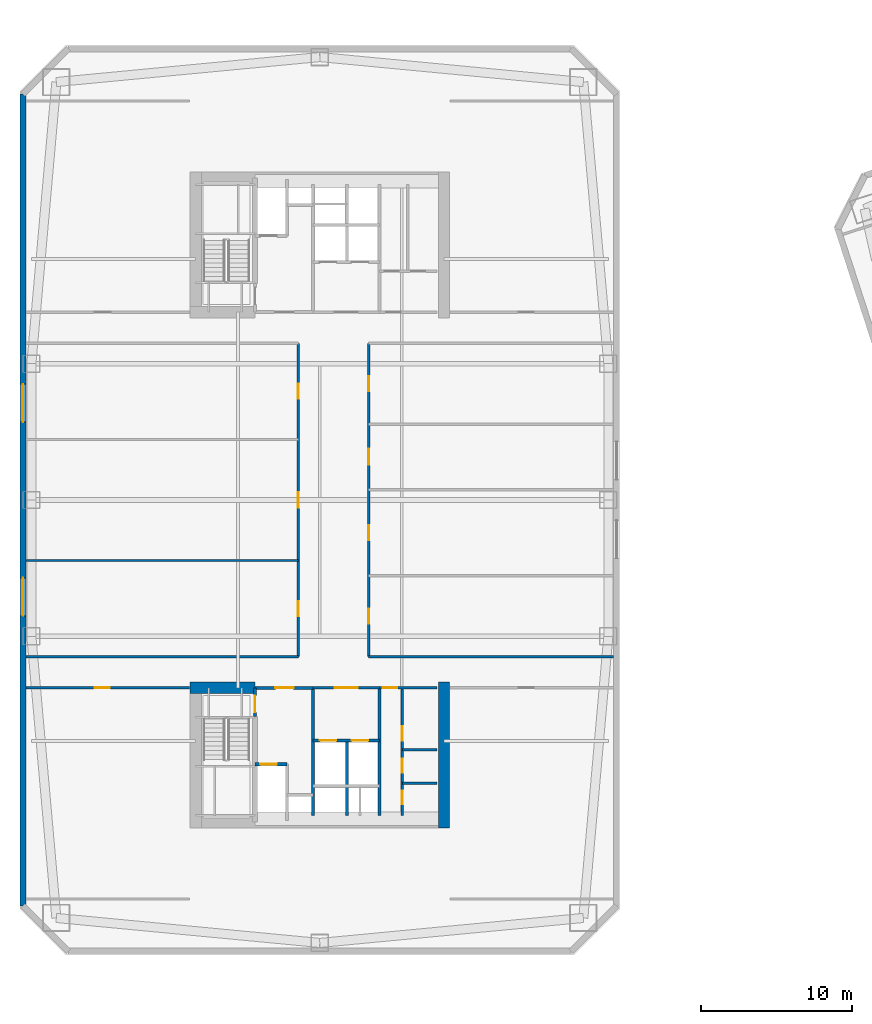
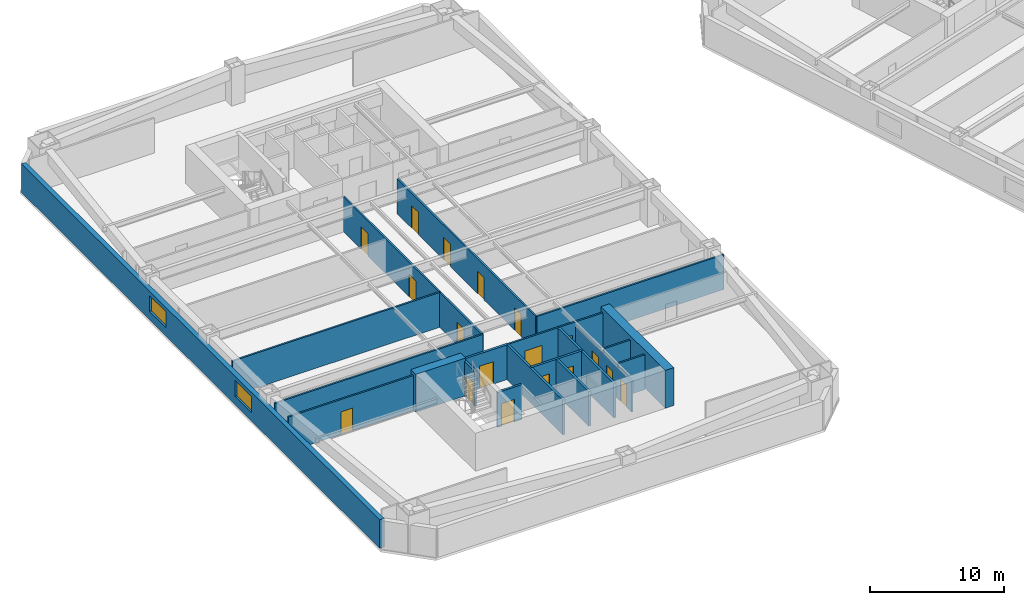
# One storey, part 3 of 11: 21 walls, 18 doors, 2 windows, 20 openings.
"""IFC4 building model written with IfcOpenShell, lengths in metres."""

from ifc_helpers import new_model, si_unit, direction, frame, frame_2d, origin, place, context, subcontext, project, spatial, rectangle, extrude, material, layer, layer_set, type_object, element, fill, save


model = new_model("IFC4")

# Units and contexts
model_context = context("Model", 3, precision=1e-05, world=origin(), true_north=direction((0.0, 1.0)))
body_context = subcontext(model_context, "Body", "Model", "MODEL_VIEW")
ifc_project = project(units=[si_unit("LENGTHUNIT", "METRE"), si_unit("AREAUNIT", "SQUARE_METRE"), si_unit("VOLUMEUNIT", "CUBIC_METRE"), si_unit("PLANEANGLEUNIT", "RADIAN"), si_unit("MASSUNIT", "GRAM", prefix="KILO")], contexts=[model_context])

# Site, building, storey
site_placement = place(None, origin())
site = spatial("IfcSite", under=ifc_project, at=site_placement, CompositionType="ELEMENT")
building_placement = place(site_placement, origin())
building = spatial("IfcBuilding", under=site, at=building_placement, Name="Qiaolan Cultural Towers", CompositionType="ELEMENT")
storey_placement = place(building_placement, frame((0.0, 0.0, 64.39990234375)))
storey = spatial("IfcBuildingStorey", under=building, at=storey_placement, Name="L15", CompositionType="ELEMENT", Elevation=64.39990234375)

# Walls
ifc_material_1 = material(Name="Concrete C60", Category="concrete")
ifc_layer_1 = layer(ifc_material_1, 0.75)
ifc_layer_set_1 = layer_set([ifc_layer_1], Name="Concrete C60")
wall_type_1 = type_object("IfcWallType", Name="WL-CORE-750", PredefinedType="SHEAR", material=ifc_layer_set_1)
wall_1_placement = place(storey_placement, frame((38.199951171875, 21.97509765625, 0.0), z_axis=(0.0, 0.0, 1.0), x_axis=(0.0, -1.0, 0.0)))
element("IfcWall", 1, at=wall_1_placement, inside=storey, type_object=wall_type_1, Name="L15 T1-CS East Core Shear Wall", PredefinedType="SHEAR", context=body_context, shape_type="SweptSolid", body=[
    extrude(rectangle(XDim=9.630126953125, YDim=0.75, at=frame_2d((4.81494140625, 0.0))), origin(), (0.0, 0.0, 1.0), 3.4501953125),
])
wall_2_placement = place(storey_placement, frame((21.425048828125, 21.60009765625, 0.0), z_axis=(0.0, 0.0, 1.0), x_axis=(1.0, 0.0, 0.0)))
element("IfcWall", 2, at=wall_2_placement, inside=storey, type_object=wall_type_1, Name="L15 T1-CS Stair Front Shear Wall", PredefinedType="SHEAR", context=body_context, shape_type="SweptSolid", body=[
    extrude(rectangle(XDim=4.294921875, YDim=0.75, at=frame_2d((2.1474609375, 0.0))), origin(), (0.0, 0.0, 1.0), 3.4501953125),
])

# Wall, openings, windows
ifc_material_2 = material(Name="Precast Concrete C50 Honed Stone Pier", Category="masonry")
ifc_layer_2 = layer(ifc_material_2, 0.39990234375)
ifc_layer_set_2 = layer_set([ifc_layer_2], Name="Precast Concrete C50 Honed Stone Pier")
wall_type_2 = type_object("IfcWallType", Name="WL-EXT-PIER-400", PredefinedType="SOLIDWALL", material=ifc_layer_set_2)
wall_3_placement = place(storey_placement, frame((10.39990234375, 7.199951171875, 0.0), z_axis=(0.0, 0.0, 1.0), x_axis=(0.0, 1.0, 0.0)))
wall_3 = element("IfcWall", 3, at=wall_3_placement, inside=storey, type_object=wall_type_2, Name="L15 West Tower Precast Pier Facade Wall F1", PredefinedType="SOLIDWALL", context=body_context, shape_type="SweptSolid", body=[
    extrude(rectangle(XDim=53.60009765625, YDim=0.39990234375, at=frame_2d((26.800048828125, 0.0))), origin(), (0.0, 0.0, 1.0), 2.610107421875),
])
opening_1_placement = place(wall_3_placement, frame((19.14990234375, 0.0, 0.75)))
opening_1 = element("IfcOpeningElement", 4, at=opening_1_placement, cuts=wall_3, Name="Opening W-01", PredefinedType="OPENING", context=body_context, shape_type="SweptSolid", body=[
    extrude(rectangle(XDim=2.5, YDim=1.4599609375, at=frame_2d((1.25, 0.72998046875))), frame((0.0, 0.2099609375, 0.0), z_axis=(0.0, -1.0, 0.0), x_axis=(1.0, 0.0, 0.0)), (0.0, 0.0, 1.0), 0.419921875),
])
opening_2_placement = place(wall_3_placement, frame((31.949951171875, 0.0, 0.75)))
opening_2 = element("IfcOpeningElement", 5, at=opening_2_placement, cuts=wall_3, Name="Opening W-01", PredefinedType="OPENING", context=body_context, shape_type="SweptSolid", body=[
    extrude(rectangle(XDim=2.5, YDim=1.4599609375, at=frame_2d((1.25, 0.72998046875))), frame((0.0, 0.2099609375, 0.0), z_axis=(0.0, -1.0, 0.0), x_axis=(1.0, 0.0, 0.0)), (0.0, 0.0, 1.0), 0.419921875),
])
ifc_material_3 = material(Name="Thermally Broken Aluminium Triple Low-E Glazing", Category="aluminium")
window_type = type_object("IfcWindowType", Name="WN-CHIC-2500", PartitioningType="SINGLE_PANEL", PredefinedType="WINDOW", material=ifc_material_3)
window_1_placement = place(opening_1_placement, origin())
window_1 = element("IfcWindow", 6, at=window_1_placement, inside=storey, type_object=window_type, Name="L15 T1 W Chicago Bay Window 1", OverallHeight=1.4599609375, OverallWidth=2.5, PartitioningType="TRIPLE_PANEL_VERTICAL", PredefinedType="WINDOW", context=body_context, shape_type="SweptSolid", body=[
    extrude(rectangle(XDim=2.5, YDim=1.4599609375, at=frame_2d((1.25, 0.72998046875))), frame((0.0, 0.030029296875, 0.0), z_axis=(0.0, -1.0, 0.0), x_axis=(1.0, 0.0, 0.0)), (0.0, 0.0, 1.0), 0.06005859375),
])
fill(opening_1, window_1)
window_2_placement = place(opening_2_placement, origin())
window_2 = element("IfcWindow", 7, at=window_2_placement, inside=storey, type_object=window_type, Name="L15 T1 W Chicago Bay Window 2", OverallHeight=1.4599609375, OverallWidth=2.5, PartitioningType="TRIPLE_PANEL_VERTICAL", PredefinedType="WINDOW", context=body_context, shape_type="SweptSolid", body=[
    extrude(rectangle(XDim=2.5, YDim=1.4599609375, at=frame_2d((1.25, 0.72998046875))), frame((0.0, 0.030029296875, 0.0), z_axis=(0.0, -1.0, 0.0), x_axis=(1.0, 0.0, 0.0)), (0.0, 0.0, 1.0), 0.06005859375),
])
fill(opening_2, window_2)

# Wall, opening, door
ifc_material_4 = material(Name="Concrete C35 Fire Wall", Category="concrete")
ifc_layer_3 = layer(ifc_material_4, 0.199951171875)
ifc_layer_set_3 = layer_set([ifc_layer_3], Name="Concrete C35 Fire Wall")
wall_type_3 = type_object("IfcWallType", Name="WL-FIRE-200", PredefinedType="PARTITIONING", material=ifc_layer_set_3)
wall_4_placement = place(storey_placement, frame((25.719970703125, 21.60009765625, 0.0), z_axis=(0.0, 0.0, 1.0), x_axis=(0.0, -1.0, 0.0)))
wall_4 = element("IfcWall", 8, at=wall_4_placement, inside=storey, type_object=wall_type_3, Name="L15 T1-CS Smokeproof Stair Entry Wall", PredefinedType="PARTITIONING", context=body_context, shape_type="SweptSolid", body=[
    extrude(rectangle(XDim=1.900146484375, YDim=0.199951171875, at=frame_2d((0.9501953125, 0.0))), origin(), (0.0, 0.0, 1.0), 3.175048828125),
])
opening_3_placement = place(wall_4_placement, frame((0.52001953125, 0.0, 0.0)))
opening_3 = element("IfcOpeningElement", 9, at=opening_3_placement, cuts=wall_4, Name="Opening FD-04", PredefinedType="OPENING", context=body_context, shape_type="SweptSolid", body=[
    extrude(rectangle(XDim=1.10009765625, YDim=2.050048828125, at=frame_2d((0.550048828125, 1.02490234375))), frame((0.0, 0.10986328125, 0.0), z_axis=(0.0, -1.0, 0.0), x_axis=(1.0, 0.0, 0.0)), (0.0, 0.0, 1.0), 0.219970703125),
])
ifc_material_5 = material(Name="Galvanized Steel Command Fire Door", Category="steel")
door_type_1 = type_object("IfcDoorType", Name="DR-FD90-1100", OperationType="NOTDEFINED", PredefinedType="DOOR", material=ifc_material_5)
door_1_placement = place(opening_3_placement, origin())
door_1 = element("IfcDoor", 10, at=door_1_placement, inside=storey, type_object=door_type_1, Name="L15 ST-W1 Smokeproof Stair Fire Door", OperationType="SINGLE_SWING_LEFT", OverallHeight=2.050048828125, OverallWidth=1.10009765625, PredefinedType="DOOR", context=body_context, shape_type="SweptSolid", body=[
    extrude(rectangle(XDim=1.10009765625, YDim=2.050048828125, at=frame_2d((0.550048828125, 1.02490234375))), frame((0.0, 0.02490234375, 0.0), z_axis=(0.0, -1.0, 0.0), x_axis=(1.0, 0.0, 0.0)), (0.0, 0.0, 1.0), 0.050048828125),
])
fill(opening_3, door_1)

# Wall
wall_5_placement = place(storey_placement, frame((29.550048828125, 21.60009765625, 0.0), z_axis=(0.0, 0.0, 1.0), x_axis=(0.0, -1.0, 0.0)))
element("IfcWall", 11, at=wall_5_placement, inside=storey, type_object=wall_type_3, Name="L15 T1-CS Firefighting Zone Wall", PredefinedType="PARTITIONING", context=body_context, shape_type="SweptSolid", body=[
    extrude(rectangle(XDim=8.43017578125, YDim=0.199951171875, at=frame_2d((4.215087890625, 0.0))), origin(), (0.0, 0.0, 1.0), 3.175048828125),
])

# Wall, opening, door
wall_6_placement = place(storey_placement, frame((25.719970703125, 21.60009765625, 0.0), z_axis=(0.0, 0.0, 1.0), x_axis=(1.0, 0.0, 0.0)))
wall_6 = element("IfcWall", 12, at=wall_6_placement, inside=storey, type_object=wall_type_3, Name="L15 T1-CS Firefighting Lobby Front Wall", PredefinedType="PARTITIONING", context=body_context, shape_type="SweptSolid", body=[
    extrude(rectangle(XDim=3.830078125, YDim=0.199951171875, at=frame_2d((1.9150390625, 0.0))), origin(), (0.0, 0.0, 1.0), 3.175048828125),
])
opening_4_placement = place(wall_6_placement, frame((1.35009765625, 0.0, 0.0)))
opening_4 = element("IfcOpeningElement", 13, at=opening_4_placement, cuts=wall_6, Name="Opening FD-03", PredefinedType="OPENING", context=body_context, shape_type="SweptSolid", body=[
    extrude(rectangle(XDim=1.199951171875, YDim=2.050048828125, at=frame_2d((0.60009765625, 1.02490234375))), frame((0.0, 0.10986328125, 0.0), z_axis=(0.0, -1.0, 0.0), x_axis=(1.0, 0.0, 0.0)), (0.0, 0.0, 1.0), 0.219970703125),
])
ifc_material_6 = material(Name="Galvanized Steel Smokeproof Lobby Fire Door", Category="steel")
door_type_2 = type_object("IfcDoorType", Name="DR-FD90-1200", OperationType="NOTDEFINED", PredefinedType="DOOR", material=ifc_material_6)
door_2_placement = place(opening_4_placement, origin())
door_2 = element("IfcDoor", 14, at=door_2_placement, inside=storey, type_object=door_type_2, Name="L15 FFL-W1 Firefighting Lobby Fire Door", OperationType="SINGLE_SWING_LEFT", OverallHeight=2.050048828125, OverallWidth=1.199951171875, PredefinedType="DOOR", context=body_context, shape_type="SweptSolid", body=[
    extrude(rectangle(XDim=1.199951171875, YDim=2.050048828125, at=frame_2d((0.60009765625, 1.02490234375))), frame((0.0, 0.02490234375, 0.0), z_axis=(0.0, -1.0, 0.0), x_axis=(1.0, 0.0, 0.0)), (0.0, 0.0, 1.0), 0.050048828125),
])
fill(opening_4, door_2)

wall_7_placement = place(storey_placement, frame((25.719970703125, 16.550048828125, 0.0), z_axis=(0.0, 0.0, 1.0), x_axis=(1.0, 0.0, 0.0)))
wall_7 = element("IfcWall", 15, at=wall_7_placement, inside=storey, type_object=wall_type_3, Name="L15 T1-CS Firefighting Shaft Front Wall", PredefinedType="PARTITIONING", context=body_context, shape_type="SweptSolid", body=[
    extrude(rectangle(XDim=2.10009765625, YDim=0.199951171875, at=frame_2d((1.050048828125, 0.0))), origin(), (0.0, 0.0, 1.0), 3.175048828125),
])
opening_5_placement = place(wall_7_placement, frame((0.35009765625, 0.0, 0.0)))
opening_5 = element("IfcOpeningElement", 16, at=opening_5_placement, cuts=wall_7, Name="Opening LD-01", PredefinedType="OPENING", context=body_context, shape_type="SweptSolid", body=[
    extrude(rectangle(XDim=1.10009765625, YDim=2.050048828125, at=frame_2d((0.550048828125, 1.02490234375))), frame((0.0, 0.10986328125, 0.0), z_axis=(0.0, -1.0, 0.0), x_axis=(1.0, 0.0, 0.0)), (0.0, 0.0, 1.0), 0.219970703125),
])
ifc_material_7 = material(Name="Brushed Stainless Steel S30408 Centre-Parting Lift Landing Door", Category="steel")
door_type_3 = type_object("IfcDoorType", Name="DR-LIFT-1100", OperationType="NOTDEFINED", PredefinedType="DOOR", material=ifc_material_7)
door_3_placement = place(opening_5_placement, origin())
door_3 = element("IfcDoor", 17, at=door_3_placement, inside=storey, type_object=door_type_3, Name="L15 FFL-W1 Firefighting Lift Landing Door", OperationType="DOUBLE_DOOR_SLIDING", OverallHeight=2.050048828125, OverallWidth=1.10009765625, PredefinedType="DOOR", context=body_context, shape_type="SweptSolid", body=[
    extrude(rectangle(XDim=1.10009765625, YDim=2.050048828125, at=frame_2d((0.550048828125, 1.02490234375))), frame((0.0, 0.02490234375, 0.0), z_axis=(0.0, -1.0, 0.0), x_axis=(1.0, 0.0, 0.0)), (0.0, 0.0, 1.0), 0.050048828125),
])
fill(opening_5, door_3)

# Wall
wall_8_placement = place(storey_placement, frame((33.949951171875, 21.60009765625, 0.0), z_axis=(0.0, 0.0, 1.0), x_axis=(0.0, -1.0, 0.0)))
element("IfcWall", 18, at=wall_8_placement, inside=storey, type_object=wall_type_3, Name="L15 T1-CS Lift Core East Wall", PredefinedType="PARTITIONING", context=body_context, shape_type="SweptSolid", body=[
    extrude(rectangle(XDim=8.43017578125, YDim=0.199951171875, at=frame_2d((4.215087890625, 0.0))), origin(), (0.0, 0.0, 1.0), 3.175048828125),
])

# Wall, openings, doors
wall_9_placement = place(storey_placement, frame((29.550048828125, 18.1201171875, 0.0), z_axis=(0.0, 0.0, 1.0), x_axis=(1.0, 0.0, 0.0)))
wall_9 = element("IfcWall", 19, at=wall_9_placement, inside=storey, type_object=wall_type_3, Name="L15 T1-CS Passenger Lift Shaft Front Wall", PredefinedType="PARTITIONING", context=body_context, shape_type="SweptSolid", body=[
    extrude(rectangle(XDim=4.39990234375, YDim=0.199951171875, at=frame_2d((2.199951171875, 0.0))), origin(), (0.0, 0.0, 1.0), 3.175048828125),
])
opening_6_placement = place(wall_9_placement, frame((0.449951171875, 0.0, 0.0)))
opening_6 = element("IfcOpeningElement", 20, at=opening_6_placement, cuts=wall_9, Name="Opening LD-01", PredefinedType="OPENING", context=body_context, shape_type="SweptSolid", body=[
    extrude(rectangle(XDim=1.10009765625, YDim=2.050048828125, at=frame_2d((0.550048828125, 1.02490234375))), frame((0.0, 0.10986328125, 0.0), z_axis=(0.0, -1.0, 0.0), x_axis=(1.0, 0.0, 0.0)), (0.0, 0.0, 1.0), 0.219970703125),
])
opening_7_placement = place(wall_9_placement, frame((2.550048828125, 0.0, 0.0)))
opening_7 = element("IfcOpeningElement", 21, at=opening_7_placement, cuts=wall_9, Name="Opening LD-01", PredefinedType="OPENING", context=body_context, shape_type="SweptSolid", body=[
    extrude(rectangle(XDim=1.10009765625, YDim=2.050048828125, at=frame_2d((0.550048828125, 1.02490234375))), frame((0.0, 0.10986328125, 0.0), z_axis=(0.0, -1.0, 0.0), x_axis=(1.0, 0.0, 0.0)), (0.0, 0.0, 1.0), 0.219970703125),
])
door_4_placement = place(opening_6_placement, origin())
door_4 = element("IfcDoor", 22, at=door_4_placement, inside=storey, type_object=door_type_3, Name="L15 Passenger Lift 1 Landing Door", OperationType="DOUBLE_DOOR_SLIDING", OverallHeight=2.050048828125, OverallWidth=1.10009765625, PredefinedType="DOOR", context=body_context, shape_type="SweptSolid", body=[
    extrude(rectangle(XDim=1.10009765625, YDim=2.050048828125, at=frame_2d((0.550048828125, 1.02490234375))), frame((0.0, 0.02490234375, 0.0), z_axis=(0.0, -1.0, 0.0), x_axis=(1.0, 0.0, 0.0)), (0.0, 0.0, 1.0), 0.050048828125),
])
fill(opening_6, door_4)
door_5_placement = place(opening_7_placement, origin())
door_5 = element("IfcDoor", 23, at=door_5_placement, inside=storey, type_object=door_type_3, Name="L15 Passenger Lift 2 Landing Door", OperationType="DOUBLE_DOOR_SLIDING", OverallHeight=2.050048828125, OverallWidth=1.10009765625, PredefinedType="DOOR", context=body_context, shape_type="SweptSolid", body=[
    extrude(rectangle(XDim=1.10009765625, YDim=2.050048828125, at=frame_2d((0.550048828125, 1.02490234375))), frame((0.0, 0.02490234375, 0.0), z_axis=(0.0, -1.0, 0.0), x_axis=(1.0, 0.0, 0.0)), (0.0, 0.0, 1.0), 0.050048828125),
])
fill(opening_7, door_5)

# Wall
wall_10_placement = place(storey_placement, frame((31.780029296875, 18.1201171875, 0.0), z_axis=(0.0, 0.0, 1.0), x_axis=(0.0, -1.0, 0.0)))
element("IfcWall", 24, at=wall_10_placement, inside=storey, type_object=wall_type_3, Name="L15 T1-CS Lift Shaft Divider Wall", PredefinedType="PARTITIONING", context=body_context, shape_type="SweptSolid", body=[
    extrude(rectangle(XDim=4.9501953125, YDim=0.199951171875, at=frame_2d((2.47509765625, 0.0))), origin(), (0.0, 0.0, 1.0), 3.175048828125),
])

# Wall, opening, door
ifc_material_8 = material(Name="Autoclaved Aerated Concrete Block B06", Category="concrete")
ifc_layer_4 = layer(ifc_material_8, 0.14990234375)
ifc_layer_set_4 = layer_set([ifc_layer_4], Name="Autoclaved Aerated Concrete Block B06")
wall_type_4 = type_object("IfcWallType", Name="WL-PART-150", PredefinedType="PARTITIONING", material=ifc_layer_set_4)
wall_11_placement = place(storey_placement, frame((29.550048828125, 21.60009765625, 0.0), z_axis=(0.0, 0.0, 1.0), x_axis=(1.0, 0.0, 0.0)))
wall_11 = element("IfcWall", 25, at=wall_11_placement, inside=storey, type_object=wall_type_4, Name="L15 T1-CS Passenger Lift Lobby Front Wall", PredefinedType="PARTITIONING", context=body_context, shape_type="SweptSolid", body=[
    extrude(rectangle(XDim=4.39990234375, YDim=0.14990234375, at=frame_2d((2.199951171875, 0.0))), origin(), (0.0, 0.0, 1.0), 3.175048828125),
])
opening_8_placement = place(wall_11_placement, frame((1.449951171875, 0.0, 0.0)))
opening_8 = element("IfcOpeningElement", 26, at=opening_8_placement, cuts=wall_11, Name="Opening FD-05", PredefinedType="OPENING", context=body_context, shape_type="SweptSolid", body=[
    extrude(rectangle(XDim=1.5, YDim=2.050048828125, at=frame_2d((0.75, 1.02490234375))), frame((0.0, 0.0849609375, 0.0), z_axis=(0.0, -1.0, 0.0), x_axis=(1.0, 0.0, 0.0)), (0.0, 0.0, 1.0), 0.169921875),
])
ifc_material_9 = material(Name="Painted Steel Lift Lobby Fire Door", Category="steel")
door_type_4 = type_object("IfcDoorType", Name="DR-FD60-1500", OperationType="NOTDEFINED", PredefinedType="DOOR", material=ifc_material_9)
door_6_placement = place(opening_8_placement, origin())
door_6 = element("IfcDoor", 27, at=door_6_placement, inside=storey, type_object=door_type_4, Name="L15 Passenger Lift Lobby Entrance", OperationType="SINGLE_SWING_LEFT", OverallHeight=2.050048828125, OverallWidth=1.5, PredefinedType="DOOR", context=body_context, shape_type="SweptSolid", body=[
    extrude(rectangle(XDim=1.5, YDim=2.050048828125, at=frame_2d((0.75, 1.02490234375))), frame((0.0, 0.02490234375, 0.0), z_axis=(0.0, -1.0, 0.0), x_axis=(1.0, 0.0, 0.0)), (0.0, 0.0, 1.0), 0.050048828125),
])
fill(opening_8, door_6)

wall_12_placement = place(storey_placement, frame((33.949951171875, 21.60009765625, 0.0), z_axis=(0.0, 0.0, 1.0), x_axis=(1.0, 0.0, 0.0)))
wall_12 = element("IfcWall", 28, at=wall_12_placement, inside=storey, type_object=wall_type_4, Name="L15 T1-CS Sanitary Core Front Wall", PredefinedType="PARTITIONING", context=body_context, shape_type="SweptSolid", body=[
    extrude(rectangle(XDim=3.800048828125, YDim=0.14990234375, at=frame_2d((1.89990234375, 0.0))), origin(), (0.0, 0.0, 1.0), 3.175048828125),
])
opening_9_placement = place(wall_12_placement, frame((0.219970703125, 0.0, 0.0)))
opening_9 = element("IfcOpeningElement", 29, at=opening_9_placement, cuts=wall_12, Name="Opening ID-05", PredefinedType="OPENING", context=body_context, shape_type="SweptSolid", body=[
    extrude(rectangle(XDim=0.949951171875, YDim=2.050048828125, at=frame_2d((0.47509765625, 1.02490234375))), frame((0.0, 0.0849609375, 0.0), z_axis=(0.0, -1.0, 0.0), x_axis=(1.0, 0.0, 0.0)), (0.0, 0.0, 1.0), 0.169921875),
])
ifc_material_10 = material(Name="Fire-Rated Laminate Accessible Core Door", Category="timber")
door_type_5 = type_object("IfcDoorType", Name="DR-INT-950", OperationType="NOTDEFINED", PredefinedType="DOOR", material=ifc_material_10)
door_7_placement = place(opening_9_placement, origin())
door_7 = element("IfcDoor", 30, at=door_7_placement, inside=storey, type_object=door_type_5, Name="L15 Sanitary Vestibule Door", OperationType="SINGLE_SWING_LEFT", OverallHeight=2.050048828125, OverallWidth=0.949951171875, PredefinedType="DOOR", context=body_context, shape_type="SweptSolid", body=[
    extrude(rectangle(XDim=0.949951171875, YDim=2.050048828125, at=frame_2d((0.47509765625, 1.02490234375))), frame((0.0, 0.02490234375, 0.0), z_axis=(0.0, -1.0, 0.0), x_axis=(1.0, 0.0, 0.0)), (0.0, 0.0, 1.0), 0.050048828125),
])
fill(opening_9, door_7)

# Wall, openings, doors
wall_13_placement = place(storey_placement, frame((35.449951171875, 21.60009765625, 0.0), z_axis=(0.0, 0.0, 1.0), x_axis=(0.0, -1.0, 0.0)))
wall_13 = element("IfcWall", 31, at=wall_13_placement, inside=storey, type_object=wall_type_4, Name="L15 T1-CS Sanitary Vestibule Wall", PredefinedType="PARTITIONING", context=body_context, shape_type="SweptSolid", body=[
    extrude(rectangle(XDim=8.43017578125, YDim=0.14990234375, at=frame_2d((4.215087890625, 0.0))), origin(), (0.0, 0.0, 1.0), 2.815185546875),
])
opening_10_placement = place(wall_13_placement, frame((2.550048828125, 0.0, 0.0)))
opening_10 = element("IfcOpeningElement", 32, at=opening_10_placement, cuts=wall_13, Name="Opening ID-05", PredefinedType="OPENING", context=body_context, shape_type="SweptSolid", body=[
    extrude(rectangle(XDim=0.949951171875, YDim=2.050048828125, at=frame_2d((0.47509765625, 1.02490234375))), frame((0.0, 0.0849609375, 0.0), z_axis=(0.0, -1.0, 0.0), x_axis=(1.0, 0.0, 0.0)), (0.0, 0.0, 1.0), 0.169921875),
])
opening_11_placement = place(wall_13_placement, frame((4.699951171875, 0.0, 0.0)))
opening_11 = element("IfcOpeningElement", 33, at=opening_11_placement, cuts=wall_13, Name="Opening ID-06", PredefinedType="OPENING", context=body_context, shape_type="SweptSolid", body=[
    extrude(rectangle(XDim=0.89990234375, YDim=2.050048828125, at=frame_2d((0.449951171875, 1.02490234375))), frame((0.0, 0.0849609375, 0.0), z_axis=(0.0, -1.0, 0.0), x_axis=(1.0, 0.0, 0.0)), (0.0, 0.0, 1.0), 0.169921875),
])
opening_12_placement = place(wall_13_placement, frame((6.800048828125, 0.0, 0.0)))
opening_12 = element("IfcOpeningElement", 34, at=opening_12_placement, cuts=wall_13, Name="Opening ID-06", PredefinedType="OPENING", context=body_context, shape_type="SweptSolid", body=[
    extrude(rectangle(XDim=0.89990234375, YDim=2.050048828125, at=frame_2d((0.449951171875, 1.02490234375))), frame((0.0, 0.0849609375, 0.0), z_axis=(0.0, -1.0, 0.0), x_axis=(1.0, 0.0, 0.0)), (0.0, 0.0, 1.0), 0.169921875),
])
ifc_material_11 = material(Name="Fire-Rated Laminate Core Service Door", Category="timber")
door_type_6 = type_object("IfcDoorType", Name="DR-INT-900", OperationType="NOTDEFINED", PredefinedType="DOOR", material=ifc_material_11)
door_8_placement = place(opening_11_placement, origin())
door_8 = element("IfcDoor", 35, at=door_8_placement, inside=storey, type_object=door_type_6, Name="L15 Men Washroom Door", OperationType="SINGLE_SWING_LEFT", OverallHeight=2.050048828125, OverallWidth=0.89990234375, PredefinedType="DOOR", context=body_context, shape_type="SweptSolid", body=[
    extrude(rectangle(XDim=0.89990234375, YDim=2.050048828125, at=frame_2d((0.449951171875, 1.02490234375))), frame((0.0, 0.02490234375, 0.0), z_axis=(0.0, -1.0, 0.0), x_axis=(1.0, 0.0, 0.0)), (0.0, 0.0, 1.0), 0.050048828125),
])
fill(opening_11, door_8)
door_9_placement = place(opening_12_placement, origin())
door_9 = element("IfcDoor", 36, at=door_9_placement, inside=storey, type_object=door_type_6, Name="L15 Women Washroom Door", OperationType="SINGLE_SWING_RIGHT", OverallHeight=2.050048828125, OverallWidth=0.89990234375, PredefinedType="DOOR", context=body_context, shape_type="SweptSolid", body=[
    extrude(rectangle(XDim=0.89990234375, YDim=2.050048828125, at=frame_2d((0.449951171875, 1.02490234375))), frame((0.0, 0.02490234375, 0.0), z_axis=(0.0, -1.0, 0.0), x_axis=(1.0, 0.0, 0.0)), (0.0, 0.0, 1.0), 0.050048828125),
])
fill(opening_12, door_9)
door_10_placement = place(opening_10_placement, origin())
door_10 = element("IfcDoor", 37, at=door_10_placement, inside=storey, type_object=door_type_5, Name="L15 Accessible Family Washroom Door", OperationType="SINGLE_SWING_LEFT", OverallHeight=2.050048828125, OverallWidth=0.949951171875, PredefinedType="DOOR", context=body_context, shape_type="SweptSolid", body=[
    extrude(rectangle(XDim=0.949951171875, YDim=2.050048828125, at=frame_2d((0.47509765625, 1.02490234375))), frame((0.0, 0.02490234375, 0.0), z_axis=(0.0, -1.0, 0.0), x_axis=(1.0, 0.0, 0.0)), (0.0, 0.0, 1.0), 0.050048828125),
])
fill(opening_10, door_10)

# Walls
for number, where, z_axis, x_axis, name in (
    (38, (35.449951171875, 17.5, 0.0), (0.0, 0.0, 1.0), (1.0, 0.0, 0.0), "L15 T1-CS Restroom Split Wall 1"),
    (39, (35.449951171875, 15.300048828125, 0.0), (0.0, 0.0, 1.0), (1.0, 0.0, 0.0), "L15 T1-CS Restroom Split Wall 2"),
):
    element("IfcWall", number, at=place(storey_placement, frame(where, z_axis=z_axis, x_axis=x_axis)), inside=storey, type_object=wall_type_4, Name=name, PredefinedType="PARTITIONING", context=body_context, shape_type="SweptSolid", body=[
        extrude(rectangle(XDim=2.300048828125, YDim=0.14990234375, at=frame_2d((1.14990234375, 0.0))), origin(), (0.0, 0.0, 1.0), 3.175048828125),
    ])

# Wall, opening, door
wall_14_placement = place(storey_placement, frame((10.60009765625, 21.60009765625, 0.0), z_axis=(0.0, 0.0, 1.0), x_axis=(1.0, 0.0, 0.0)))
wall_14 = element("IfcWall", 40, at=wall_14_placement, inside=storey, type_object=wall_type_4, Name="L15 T1 Flank Front FLK-SW", PredefinedType="PARTITIONING", context=body_context, shape_type="SweptSolid", body=[
    extrude(rectangle(XDim=10.7998046875, YDim=0.14990234375, at=frame_2d((5.39990234375, 0.0))), origin(), (0.0, 0.0, 1.0), 3.175048828125),
])
opening_13_placement = place(wall_14_placement, frame((4.535888671875, 0.0, 0.0)))
opening_13 = element("IfcOpeningElement", 41, at=opening_13_placement, cuts=wall_14, Name="Opening ID-04", PredefinedType="OPENING", context=body_context, shape_type="SweptSolid", body=[
    extrude(rectangle(XDim=1.0, YDim=2.050048828125, at=frame_2d((0.5, 1.02490234375))), frame((0.0, 0.0849609375, 0.0), z_axis=(0.0, -1.0, 0.0), x_axis=(1.0, 0.0, 0.0)), (0.0, 0.0, 1.0), 0.169921875),
])
ifc_material_12 = material(Name="Oak Veneer Acoustic Office Door", Category="timber")
door_type_7 = type_object("IfcDoorType", Name="DR-INT-1000", OperationType="NOTDEFINED", PredefinedType="DOOR", material=ifc_material_12)
door_11_placement = place(opening_13_placement, origin())
door_11 = element("IfcDoor", 42, at=door_11_placement, inside=storey, type_object=door_type_7, Name="L15 T1 Corner Studio Door", OperationType="SINGLE_SWING_LEFT", OverallHeight=2.050048828125, OverallWidth=1.0, PredefinedType="DOOR", context=body_context, shape_type="SweptSolid", body=[
    extrude(rectangle(XDim=1.0, YDim=2.050048828125, at=frame_2d((0.5, 1.02490234375))), frame((0.0, 0.02490234375, 0.0), z_axis=(0.0, -1.0, 0.0), x_axis=(1.0, 0.0, 0.0)), (0.0, 0.0, 1.0), 0.050048828125),
])
fill(opening_13, door_11)

# Walls
wall_15_placement = place(storey_placement, frame((10.60009765625, 23.64990234375, 0.0), z_axis=(0.0, 0.0, 1.0), x_axis=(1.0, 0.0, 0.0)))
element("IfcWall", 43, at=wall_15_placement, inside=storey, type_object=wall_type_4, Name="L15 T1 South Corridor Left Wall", PredefinedType="PARTITIONING", context=body_context, shape_type="SweptSolid", body=[
    extrude(rectangle(XDim=17.974853515625, YDim=0.14990234375, at=frame_2d((8.9873046875, 0.0))), origin(), (0.0, 0.0, 1.0), 3.175048828125),
])
wall_16_placement = place(storey_placement, frame((33.22509765625, 23.64990234375, 0.0), z_axis=(0.0, 0.0, 1.0), x_axis=(1.0, 0.0, 0.0)))
element("IfcWall", 44, at=wall_16_placement, inside=storey, type_object=wall_type_4, Name="L15 T1 South Corridor Right Wall", PredefinedType="PARTITIONING", context=body_context, shape_type="SweptSolid", body=[
    extrude(rectangle(XDim=16.1748046875, YDim=0.14990234375, at=frame_2d((8.08740234375, 0.0))), origin(), (0.0, 0.0, 1.0), 3.175048828125),
])

# Wall, openings, doors
wall_17_placement = place(storey_placement, frame((28.574951171875, 23.64990234375, 0.0), z_axis=(0.0, 0.0, 1.0), x_axis=(0.0, 1.0, 0.0)))
wall_17 = element("IfcWall", 45, at=wall_17_placement, inside=storey, type_object=wall_type_4, Name="L15 T1 West Spine Wall", PredefinedType="PARTITIONING", context=body_context, shape_type="SweptSolid", body=[
    extrude(rectangle(XDim=20.7001953125, YDim=0.14990234375, at=frame_2d((10.35009765625, 0.0))), origin(), (0.0, 0.0, 1.0), 3.175048828125),
])
opening_14_placement = place(wall_17_placement, frame((2.675048828125, 0.0, 0.0)))
opening_14 = element("IfcOpeningElement", 46, at=opening_14_placement, cuts=wall_17, Name="Opening ID-04", PredefinedType="OPENING", context=body_context, shape_type="SweptSolid", body=[
    extrude(rectangle(XDim=1.0, YDim=2.050048828125, at=frame_2d((0.5, 1.02490234375))), frame((0.0, 0.0849609375, 0.0), z_axis=(0.0, -1.0, 0.0), x_axis=(1.0, 0.0, 0.0)), (0.0, 0.0, 1.0), 0.169921875),
])
opening_15_placement = place(wall_17_placement, frame((9.85009765625, 0.0, 0.0)))
opening_15 = element("IfcOpeningElement", 47, at=opening_15_placement, cuts=wall_17, Name="Opening ID-04", PredefinedType="OPENING", context=body_context, shape_type="SweptSolid", body=[
    extrude(rectangle(XDim=1.0, YDim=2.050048828125, at=frame_2d((0.5, 1.02490234375))), frame((0.0, 0.0849609375, 0.0), z_axis=(0.0, -1.0, 0.0), x_axis=(1.0, 0.0, 0.0)), (0.0, 0.0, 1.0), 0.169921875),
])
opening_16_placement = place(wall_17_placement, frame((17.02490234375, 0.0, 0.0)))
opening_16 = element("IfcOpeningElement", 48, at=opening_16_placement, cuts=wall_17, Name="Opening ID-04", PredefinedType="OPENING", context=body_context, shape_type="SweptSolid", body=[
    extrude(rectangle(XDim=1.0, YDim=2.050048828125, at=frame_2d((0.5, 1.02490234375))), frame((0.0, 0.0849609375, 0.0), z_axis=(0.0, -1.0, 0.0), x_axis=(1.0, 0.0, 0.0)), (0.0, 0.0, 1.0), 0.169921875),
])
door_12_placement = place(opening_14_placement, origin())
door_12 = element("IfcDoor", 49, at=door_12_placement, inside=storey, type_object=door_type_7, Name="L15 T1 Staff Dining Kitchen Door", OperationType="SINGLE_SWING_LEFT", OverallHeight=2.050048828125, OverallWidth=1.0, PredefinedType="DOOR", context=body_context, shape_type="SweptSolid", body=[
    extrude(rectangle(XDim=1.0, YDim=2.050048828125, at=frame_2d((0.5, 1.02490234375))), frame((0.0, 0.02490234375, 0.0), z_axis=(0.0, -1.0, 0.0), x_axis=(1.0, 0.0, 0.0)), (0.0, 0.0, 1.0), 0.050048828125),
])
fill(opening_14, door_12)
door_13_placement = place(opening_15_placement, origin())
door_13 = element("IfcDoor", 50, at=door_13_placement, inside=storey, type_object=door_type_7, Name="L15 T1 Staff Dining Kitchen Door", OperationType="SINGLE_SWING_RIGHT", OverallHeight=2.050048828125, OverallWidth=1.0, PredefinedType="DOOR", context=body_context, shape_type="SweptSolid", body=[
    extrude(rectangle(XDim=1.0, YDim=2.050048828125, at=frame_2d((0.5, 1.02490234375))), frame((0.0, 0.02490234375, 0.0), z_axis=(0.0, -1.0, 0.0), x_axis=(1.0, 0.0, 0.0)), (0.0, 0.0, 1.0), 0.050048828125),
])
fill(opening_15, door_13)
door_14_placement = place(opening_16_placement, origin())
door_14 = element("IfcDoor", 51, at=door_14_placement, inside=storey, type_object=door_type_7, Name="L15 T1 Staff Dining Kitchen Door", OperationType="SINGLE_SWING_LEFT", OverallHeight=2.050048828125, OverallWidth=1.0, PredefinedType="DOOR", context=body_context, shape_type="SweptSolid", body=[
    extrude(rectangle(XDim=1.0, YDim=2.050048828125, at=frame_2d((0.5, 1.02490234375))), frame((0.0, 0.02490234375, 0.0), z_axis=(0.0, -1.0, 0.0), x_axis=(1.0, 0.0, 0.0)), (0.0, 0.0, 1.0), 0.050048828125),
])
fill(opening_16, door_14)

wall_18_placement = place(storey_placement, frame((33.22509765625, 23.64990234375, 0.0), z_axis=(0.0, 0.0, 1.0), x_axis=(0.0, 1.0, 0.0)))
wall_18 = element("IfcWall", 52, at=wall_18_placement, inside=storey, type_object=wall_type_4, Name="L15 T1 East Spine Wall", PredefinedType="PARTITIONING", context=body_context, shape_type="SweptSolid", body=[
    extrude(rectangle(XDim=20.7001953125, YDim=0.14990234375, at=frame_2d((10.35009765625, 0.0))), origin(), (0.0, 0.0, 1.0), 3.175048828125),
])
opening_17_placement = place(wall_18_placement, frame((2.175048828125, 0.0, 0.0)))
opening_17 = element("IfcOpeningElement", 53, at=opening_17_placement, cuts=wall_18, Name="Opening ID-04", PredefinedType="OPENING", context=body_context, shape_type="SweptSolid", body=[
    extrude(rectangle(XDim=1.0, YDim=2.050048828125, at=frame_2d((0.5, 1.02490234375))), frame((0.0, 0.0849609375, 0.0), z_axis=(0.0, -1.0, 0.0), x_axis=(1.0, 0.0, 0.0)), (0.0, 0.0, 1.0), 0.169921875),
])
opening_18_placement = place(wall_18_placement, frame((7.68994140625, 0.0, 0.0)))
opening_18 = element("IfcOpeningElement", 54, at=opening_18_placement, cuts=wall_18, Name="Opening ID-04", PredefinedType="OPENING", context=body_context, shape_type="SweptSolid", body=[
    extrude(rectangle(XDim=1.0, YDim=2.050048828125, at=frame_2d((0.5, 1.02490234375))), frame((0.0, 0.0849609375, 0.0), z_axis=(0.0, -1.0, 0.0), x_axis=(1.0, 0.0, 0.0)), (0.0, 0.0, 1.0), 0.169921875),
])
opening_19_placement = place(wall_18_placement, frame((12.68994140625, 0.0, 0.0)))
opening_19 = element("IfcOpeningElement", 55, at=opening_19_placement, cuts=wall_18, Name="Opening ID-07", PredefinedType="OPENING", context=body_context, shape_type="SweptSolid", body=[
    extrude(rectangle(XDim=1.050048828125, YDim=2.050048828125, at=frame_2d((0.52490234375, 1.02490234375))), frame((0.0, 0.0849609375, 0.0), z_axis=(0.0, -1.0, 0.0), x_axis=(1.0, 0.0, 0.0)), (0.0, 0.0, 1.0), 0.169921875),
])
opening_20_placement = place(wall_18_placement, frame((17.52490234375, 0.0, 0.0)))
opening_20 = element("IfcOpeningElement", 56, at=opening_20_placement, cuts=wall_18, Name="Opening ID-04", PredefinedType="OPENING", context=body_context, shape_type="SweptSolid", body=[
    extrude(rectangle(XDim=1.0, YDim=2.050048828125, at=frame_2d((0.5, 1.02490234375))), frame((0.0, 0.0849609375, 0.0), z_axis=(0.0, -1.0, 0.0), x_axis=(1.0, 0.0, 0.0)), (0.0, 0.0, 1.0), 0.169921875),
])
door_15_placement = place(opening_17_placement, origin())
door_15 = element("IfcDoor", 57, at=door_15_placement, inside=storey, type_object=door_type_7, Name="L15 T1 Seminar Room Door", OperationType="SINGLE_SWING_RIGHT", OverallHeight=2.050048828125, OverallWidth=1.0, PredefinedType="DOOR", context=body_context, shape_type="SweptSolid", body=[
    extrude(rectangle(XDim=1.0, YDim=2.050048828125, at=frame_2d((0.5, 1.02490234375))), frame((0.0, 0.02490234375, 0.0), z_axis=(0.0, -1.0, 0.0), x_axis=(1.0, 0.0, 0.0)), (0.0, 0.0, 1.0), 0.050048828125),
])
fill(opening_17, door_15)
door_16_placement = place(opening_18_placement, origin())
door_16 = element("IfcDoor", 58, at=door_16_placement, inside=storey, type_object=door_type_7, Name="L15 T1 Seminar Room Door", OperationType="SINGLE_SWING_LEFT", OverallHeight=2.050048828125, OverallWidth=1.0, PredefinedType="DOOR", context=body_context, shape_type="SweptSolid", body=[
    extrude(rectangle(XDim=1.0, YDim=2.050048828125, at=frame_2d((0.5, 1.02490234375))), frame((0.0, 0.02490234375, 0.0), z_axis=(0.0, -1.0, 0.0), x_axis=(1.0, 0.0, 0.0)), (0.0, 0.0, 1.0), 0.050048828125),
])
fill(opening_18, door_16)
door_17_placement = place(opening_20_placement, origin())
door_17 = element("IfcDoor", 59, at=door_17_placement, inside=storey, type_object=door_type_7, Name="L15 T1 Design Print Shop Door", OperationType="SINGLE_SWING_LEFT", OverallHeight=2.050048828125, OverallWidth=1.0, PredefinedType="DOOR", context=body_context, shape_type="SweptSolid", body=[
    extrude(rectangle(XDim=1.0, YDim=2.050048828125, at=frame_2d((0.5, 1.02490234375))), frame((0.0, 0.02490234375, 0.0), z_axis=(0.0, -1.0, 0.0), x_axis=(1.0, 0.0, 0.0)), (0.0, 0.0, 1.0), 0.050048828125),
])
fill(opening_20, door_17)
ifc_material_13 = material(Name="Oak Veneer Consultation Door", Category="timber")
door_type_8 = type_object("IfcDoorType", Name="DR-INT-1050", OperationType="NOTDEFINED", PredefinedType="DOOR", material=ifc_material_13)
door_18_placement = place(opening_19_placement, origin())
door_18 = element("IfcDoor", 60, at=door_18_placement, inside=storey, type_object=door_type_8, Name="L15 T1 First-Aid Wellness Room Door", OperationType="SINGLE_SWING_RIGHT", OverallHeight=2.050048828125, OverallWidth=1.050048828125, PredefinedType="DOOR", context=body_context, shape_type="SweptSolid", body=[
    extrude(rectangle(XDim=1.050048828125, YDim=2.050048828125, at=frame_2d((0.52490234375, 1.02490234375))), frame((0.0, 0.02490234375, 0.0), z_axis=(0.0, -1.0, 0.0), x_axis=(1.0, 0.0, 0.0)), (0.0, 0.0, 1.0), 0.050048828125),
])
fill(opening_19, door_18)

# Wall
wall_19_placement = place(storey_placement, frame((10.60009765625, 30.0, 0.0), z_axis=(0.0, 0.0, 1.0), x_axis=(1.0, 0.0, 0.0)))
element("IfcWall", 61, at=wall_19_placement, inside=storey, type_object=wall_type_4, Name="L15 T1 West Partition 1", PredefinedType="PARTITIONING", context=body_context, shape_type="SweptSolid", body=[
    extrude(rectangle(XDim=17.974853515625, YDim=0.14990234375, at=frame_2d((8.9873046875, 0.0))), origin(), (0.0, 0.0, 1.0), 3.175048828125),
])

save(model, "model.ifc")
